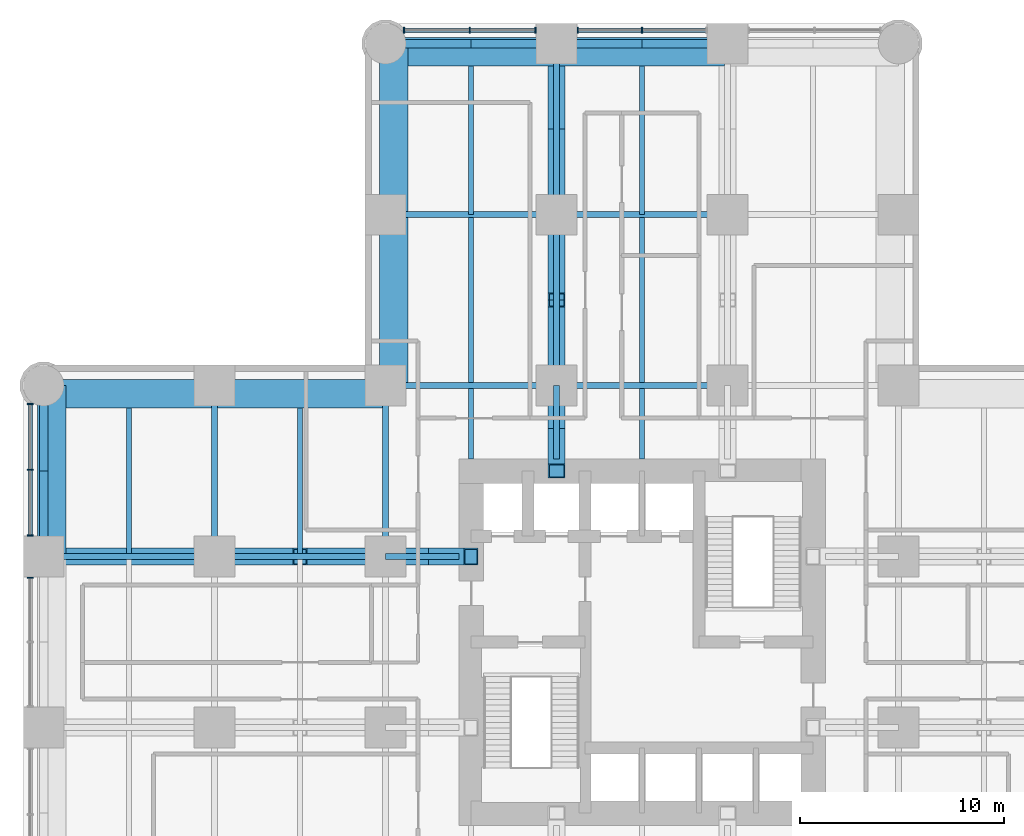
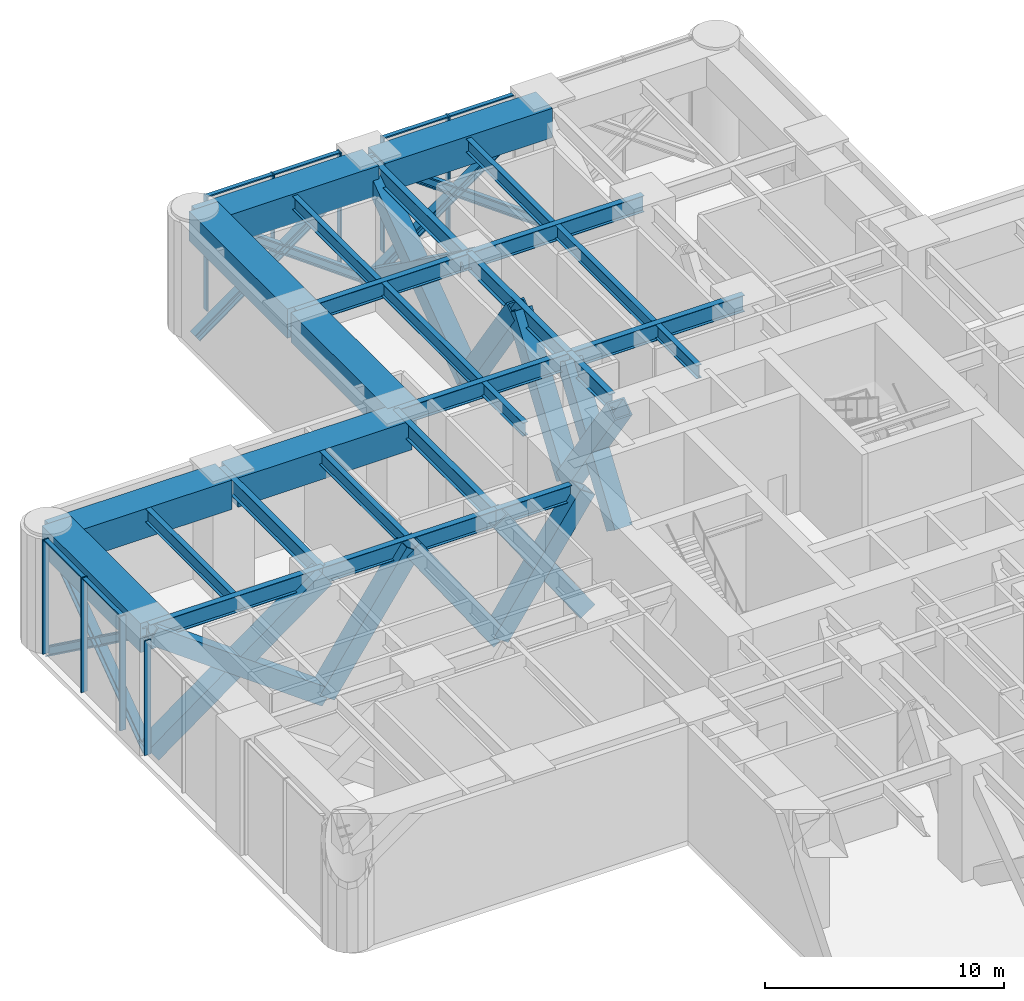
# One storey, part 5 of 12: 33 members, 27 beams, 2 elements without a shape of their own.
"""IFC4 building model written with IfcOpenShell, lengths in metres."""

import ifcopenshell
import ifcopenshell.guid

model = None  # the IFC model being written
_history = None  # IfcOwnerHistory: only IFC2X3 demands one
_inside = {}  # id of a spatial element -> (the spatial element, [elements in it])
_under = {}  # id of a project, library or spatial element -> (it, [spatial elements below it])
_declared = {}  # id of a project -> (the project, [libraries it declares])
_typed = {}  # id of a type object -> (the type object, [elements of that type])
_made_of = {}  # id of a material, layer set ... -> (it, [elements and type objects made of it])


def new_model(schema):
    """Start an empty IFC model of exactly this schema.

    Asked for "IFC4X3", IfcOpenShell would pick the latest addendum, in which some entities
    have other attributes; the version numbers below select the first issue.
    IFC2X3 requires an IfcOwnerHistory on every rooted entity: one is made here for all.
    """
    global model, _history
    if schema == "IFC4X3":
        model = ifcopenshell.file(schema_version=(4, 3, 0, 0))
    else:
        model = ifcopenshell.file(schema=schema)
    _inside.clear()
    _under.clear()
    _declared.clear()
    _typed.clear()
    _made_of.clear()
    _history = None
    if model.schema == "IFC2X3":
        org = make("IfcOrganization", Name="unknown")
        user = make(
            "IfcPersonAndOrganization",
            ThePerson=make("IfcPerson", FamilyName="unknown"),
            TheOrganization=org,
        )
        app = make(
            "IfcApplication",
            ApplicationDeveloper=org,
            Version="unknown",
            ApplicationFullName="unknown",
            ApplicationIdentifier="unknown",
        )
        _history = make(
            "IfcOwnerHistory",
            OwningUser=user,
            OwningApplication=app,
            ChangeAction="ADDED",
            CreationDate=0,
        )
    return model


def make(cls, **values):
    """One entity of the class cls with the attributes given. An attribute that is None is left unset."""
    return model.create_entity(
        cls, **{name: value for name, value in values.items() if value is not None}
    )


def rooted(cls, **values):
    """An entity with a GlobalId (a new one), such as an element, a storey or a relation."""
    return make(cls, GlobalId=ifcopenshell.guid.new(), OwnerHistory=_history, **values)


def si_unit(unit_type, name, prefix=None):
    """IfcSIUnit, for example si_unit("LENGTHUNIT", "METRE", prefix="MILLI")."""
    return make("IfcSIUnit", UnitType=unit_type, Prefix=prefix, Name=name)


def assignment(units):
    """IfcUnitAssignment: the units of a project."""
    return None if units is None else make("IfcUnitAssignment", Units=units)


def point(xyz):
    """IfcCartesianPoint."""
    return None if xyz is None else make("IfcCartesianPoint", Coordinates=xyz)


def direction(xyz):
    """IfcDirection."""
    return None if xyz is None else make("IfcDirection", DirectionRatios=xyz)


def frame(location, z_axis=None, x_axis=None):
    """IfcAxis2Placement3D, a coordinate frame: its origin and axes. An axis left out is left unset."""
    return make(
        "IfcAxis2Placement3D",
        Location=point(location),
        Axis=direction(z_axis),
        RefDirection=direction(x_axis),
    )


def frame_2d(location, x_axis=None):
    """IfcAxis2Placement2D, a coordinate frame in the plane: its origin and x axis."""
    return make(
        "IfcAxis2Placement2D", Location=point(location), RefDirection=direction(x_axis)
    )


def origin():
    """The frame at (0, 0, 0) with its axes left unset."""
    return frame((0.0, 0.0, 0.0))


def origin_2d():
    """The frame at (0, 0) in the plane with its x axis left unset."""
    return frame_2d((0.0, 0.0))


def place(relative_to, where):
    """IfcLocalPlacement: puts the frame where relative to a parent placement (None: the world)."""
    return make(
        "IfcLocalPlacement", PlacementRelTo=relative_to, RelativePlacement=where
    )


def context(
    kind, dimensions, precision=None, world=None, true_north=None, identifier=None
):
    """IfcGeometricRepresentationContext, for example the 3D "Model" context."""
    return make(
        "IfcGeometricRepresentationContext",
        ContextIdentifier=identifier,
        ContextType=kind,
        CoordinateSpaceDimension=dimensions,
        Precision=precision,
        WorldCoordinateSystem=world,
        TrueNorth=true_north,
    )


def subcontext(parent, identifier, kind, view, scale=None):
    """IfcGeometricRepresentationSubContext, for example "Body" below "Model"."""
    return make(
        "IfcGeometricRepresentationSubContext",
        ContextIdentifier=identifier,
        ContextType=kind,
        ParentContext=parent,
        TargetScale=scale,
        TargetView=view,
    )


def project(units=None, contexts=None):
    """IfcProject with its units and contexts."""
    return rooted(
        "IfcProject",
        Name="project",
        RepresentationContexts=contexts,
        UnitsInContext=assignment(units),
    )


def spatial(cls, under=None, at=None, **own):
    """A site, building, storey or space (cls), placed at a placement, below another one or the project."""
    s = rooted(cls, ObjectPlacement=at, **own)
    if under is not None:
        _under.setdefault(under.id(), (under, []))[1].append(s)
    return s


def profile(cls, at=None, kind="AREA", **sizes):
    """A parametric profile (cls). Its sizes go by their IFC names, for example OverallWidth=200.0."""
    return make(cls, ProfileType=kind, Position=at, **sizes)


def rectangle(**sizes):
    """IfcRectangleProfileDef."""
    return profile("IfcRectangleProfileDef", **sizes)


def hollow_rectangle(**sizes):
    """IfcRectangleHollowProfileDef."""
    return profile("IfcRectangleHollowProfileDef", **sizes)


def i_section(**sizes):
    """IfcIShapeProfileDef."""
    return profile("IfcIShapeProfileDef", **sizes)


def extrude(swept, where, along, depth):
    """IfcExtrudedAreaSolid: the profile swept, set in the frame where, extruded along a direction by depth."""
    return make(
        "IfcExtrudedAreaSolid",
        SweptArea=swept,
        Position=where,
        ExtrudedDirection=direction(along),
        Depth=depth,
    )


def shape(context_of_items, identifier, shape_type, items):
    """IfcShapeRepresentation: the items that make up one representation, for example the "Body"."""
    return make(
        "IfcShapeRepresentation",
        ContextOfItems=context_of_items,
        RepresentationIdentifier=identifier,
        RepresentationType=shape_type,
        Items=items,
    )


def material(Name=None, Category=None):
    """IfcMaterial."""
    return make("IfcMaterial", Name=Name, Category=Category)


def material_profile(
    of_material, cross_section, Name=None, Category=None, Priority=None
):
    """IfcMaterialProfile: a cross section and its material."""
    return make(
        "IfcMaterialProfile",
        Name=Name,
        Material=of_material,
        Profile=cross_section,
        Priority=Priority,
        Category=Category,
    )


def profile_set(profiles, Name=None, composite=None):
    """IfcMaterialProfileSet."""
    return make(
        "IfcMaterialProfileSet",
        Name=Name,
        MaterialProfiles=profiles,
        CompositeProfile=composite,
    )


def made_of(thing, what):
    """Note that an element or type object is made of a material, layer set ...; save() writes the relation."""
    if what is not None:
        _made_of.setdefault(what.id(), (what, []))[1].append(thing)
    return thing


def type_object(cls, material=None, **own):
    """A type object (cls), such as IfcWallType, which elements share."""
    return made_of(rooted(cls, **own), material)


def element(
    cls,
    number,
    at=None,
    inside=None,
    cuts=None,
    type_object=None,
    material=None,
    context=None,
    identifier="Body",
    shape_type=None,
    held_by="IfcProductDefinitionShape",
    body=None,
    shapes=None,
    **own,
):
    """One element of the class cls, such as IfcWall. Its Tag is "e" and its number.

    at: its placement. inside: the storey or other place that contains it. cuts: it is an
    opening in that element (IfcRelVoidsElement). A single representation is given by context,
    identifier, shape_type and body (its items); several are given by shapes. held_by: the class
    of the entity that holds the representations. save() writes the other relations.
    """
    e = rooted(cls, Tag="e%d" % number, ObjectPlacement=at, **own)
    if body is not None:
        shapes = [shape(context, identifier, shape_type, body)]
    if shapes is not None:
        e.Representation = make(held_by, Representations=shapes)
    if inside is not None:
        _inside.setdefault(inside.id(), (inside, []))[1].append(e)
    if cuts is not None:
        rooted(
            "IfcRelVoidsElement", RelatingBuildingElement=cuts, RelatedOpeningElement=e
        )
    if type_object is not None:
        _typed.setdefault(type_object.id(), (type_object, []))[1].append(e)
    return made_of(e, material)


def aggregate(whole, parts):
    """IfcRelAggregates: a whole, such as a stair, and the parts it consists of."""
    return rooted("IfcRelAggregates", RelatingObject=whole, RelatedObjects=parts)


def save(model, path):
    """Write the relations noted so far, then the file.

    IfcRelAggregates (storeys below a building ...), IfcRelContainedInSpatialStructure (elements
    in a storey), IfcRelDefinesByType, IfcRelAssociatesMaterial and IfcRelDeclares: one each for
    every whole, place, type object, material and project.
    """
    for whole, parts in _under.values():
        aggregate(whole, parts)
    for where, things in _inside.values():
        rooted(
            "IfcRelContainedInSpatialStructure",
            RelatedElements=things,
            RelatingStructure=where,
        )
    for kind, things in _typed.values():
        rooted("IfcRelDefinesByType", RelatedObjects=things, RelatingType=kind)
    for what, things in _made_of.values():
        rooted("IfcRelAssociatesMaterial", RelatedObjects=things, RelatingMaterial=what)
    for by, libraries in _declared.values():
        rooted("IfcRelDeclares", RelatingContext=by, RelatedDefinitions=libraries)
    model.write(path)


model = new_model("IFC4")

# Units and contexts
model_context = context("Model", 3, precision=1e-05, world=origin(), true_north=direction((0.0, 1.0)))
body_context = subcontext(model_context, "Body", "Model", "MODEL_VIEW")
ifc_project = project(units=[si_unit("LENGTHUNIT", "METRE"), si_unit("AREAUNIT", "SQUARE_METRE"), si_unit("VOLUMEUNIT", "CUBIC_METRE"), si_unit("PLANEANGLEUNIT", "RADIAN"), si_unit("MASSUNIT", "GRAM", prefix="KILO")], contexts=[model_context])

# Site, building, storey
site_placement = place(None, origin())
site = spatial("IfcSite", under=ifc_project, at=site_placement, CompositionType="ELEMENT")
building_placement = place(site_placement, origin())
building = spatial("IfcBuilding", under=site, at=building_placement, Name="Torre Alcanfor", CompositionType="ELEMENT")
storey_placement = place(building_placement, frame((0.0, 0.0, 102.89990234375)))
storey = spatial("IfcBuildingStorey", under=building, at=storey_placement, Name="L26", CompositionType="ELEMENT", Elevation=102.89990234375)

# Members
ifc_material_1 = material(Name="Steel ASTM A992 Grade 50", Category="steel")
ifc_material_profile_1 = material_profile(ifc_material_1, i_section(OverallWidth=0.411376953125, OverallDepth=0.434326171875, WebThickness=0.035888671875, FlangeThickness=0.057373046875, at=origin_2d()), Name="W14x311")
ifc_profile_set_1 = profile_set([ifc_material_profile_1], Name="Steel ASTM A992 Grade 50")
member_type_1 = type_object("IfcMemberType", Name="Belt truss diagonal W14x311", PredefinedType="BRACE", material=ifc_profile_set_1)
for number, where, z_axis, x_axis, name in (
    (1, (16.800048828125, 58.800048828125, -0.64990234375), (0.809144712888, 0.0, 0.587609422665), (0.0, 1.0, 0.0), "Belt truss L26 N arm panel 1 diagonal A"),
    (2, (25.199951171875, 58.800048828125, -0.64990234375), (-0.809144712888, 0.0, 0.587609422665), (0.0, -1.0, 0.0), "Belt truss L26 N arm panel 1 diagonal B"),
):
    element("IfcMember", number, at=place(storey_placement, frame(where, z_axis=z_axis, x_axis=x_axis)), inside=storey, type_object=member_type_1, Name=name, PredefinedType="BRACE", context=body_context, shape_type="SweptSolid", body=[
        extrude(i_section(OverallWidth=0.411376953125, OverallDepth=0.434326171875, WebThickness=0.035888671875, FlangeThickness=0.057373046875, at=origin_2d()), origin(), (0.0, 0.0, 1.0), 10.381103515625),
    ])
for number, where, z_axis, x_axis, name in (
    (3, (25.199951171875, 58.800048828125, -0.64990234375), (0.809152832909, 0.0, 0.587598241144), (0.0, 1.0, 0.0), "Belt truss L26 N arm panel 2 diagonal A"),
    (4, (33.60009765625, 58.800048828125, -0.64990234375), (-0.809152832909, 0.0, 0.587598241144), (0.0, -1.0, 0.0), "Belt truss L26 N arm panel 2 diagonal B"),
):
    element("IfcMember", number, at=place(storey_placement, frame(where, z_axis=z_axis, x_axis=x_axis)), inside=storey, type_object=member_type_1, Name=name, PredefinedType="BRACE", context=body_context, shape_type="SweptSolid", body=[
        extrude(i_section(OverallWidth=0.411376953125, OverallDepth=0.434326171875, WebThickness=0.035888671875, FlangeThickness=0.057373046875, at=origin_2d()), origin(), (0.0, 0.0, 1.0), 10.38134765625),
    ])
for number, where, z_axis, x_axis, name in (
    (5, (0.0, 33.60009765625, -0.64990234375), (0.0, 0.809144712888, 0.587609422665), (-1.0, 0.0, 0.0), "Belt truss L26 W arm panel 3 diagonal A"),
    (6, (0.0, 42.0, -0.64990234375), (0.0, -0.809144712888, 0.587609422665), (1.0, 0.0, 0.0), "Belt truss L26 W arm panel 3 diagonal B"),
):
    element("IfcMember", number, at=place(storey_placement, frame(where, z_axis=z_axis, x_axis=x_axis)), inside=storey, type_object=member_type_1, Name=name, PredefinedType="BRACE", context=body_context, shape_type="SweptSolid", body=[
        extrude(i_section(OverallWidth=0.411376953125, OverallDepth=0.434326171875, WebThickness=0.035888671875, FlangeThickness=0.057373046875, at=origin_2d()), origin(), (0.0, 0.0, 1.0), 10.381103515625),
    ])

# Curtain wall, members
ifc_material_2 = material(Name="Aluminium and glass", Category="aluminium")
curtain_wall_type = type_object("IfcCurtainWallType", Name="CW-D plant floor louvre screen", PredefinedType="NOTDEFINED", material=ifc_material_2)
curtain_wall_1_placement = place(storey_placement, origin())
curtain_wall_1 = element("IfcCurtainWall", 7, at=curtain_wall_1_placement, inside=storey, type_object=curtain_wall_type, Name="Curtain wall CW-D L26 2", PredefinedType="NOTDEFINED")
ifc_material_3 = material(Name="Extruded aluminium", Category="aluminium")
ifc_material_profile_2 = material_profile(ifc_material_3, rectangle(XDim=0.300048828125, YDim=0.06494140625, at=origin_2d()), Name="CW-D mullion 65x300")
ifc_profile_set_2 = profile_set([ifc_material_profile_2], Name="Extruded aluminium")
member_type_2 = type_object("IfcMemberType", Name="CW-D mullion 65x300", PredefinedType="MULLION", material=ifc_profile_set_2)
member_1_placement = place(storey_placement, frame((-0.64990234375, 41.095703125, 0.0), z_axis=(0.0, 0.0, 1.0), x_axis=(1.0, 0.0, 0.0)))
member_1 = element("IfcMember", 8, at=member_1_placement, type_object=member_type_2, Name="CW-D mullion 1.1", PredefinedType="MULLION", context=body_context, shape_type="SweptSolid", body=[
    extrude(rectangle(XDim=0.300048828125, YDim=0.06494140625, at=origin_2d()), origin(), (0.0, 0.0, 1.0), 5.85009765625),
])
member_2_placement = place(storey_placement, frame((-0.64990234375, 37.86669921875, 0.0), z_axis=(0.0, 0.0, 1.0), x_axis=(1.0, 0.0, 0.0)))
member_2 = element("IfcMember", 9, at=member_2_placement, type_object=member_type_2, Name="CW-D mullion 1.2", PredefinedType="MULLION", context=body_context, shape_type="SweptSolid", body=[
    extrude(rectangle(XDim=0.300048828125, YDim=0.06494140625, at=origin_2d()), origin(), (0.0, 0.0, 1.0), 5.85009765625),
])
member_3_placement = place(storey_placement, frame((-0.64990234375, 34.637451171875, 0.0), z_axis=(0.0, 0.0, 1.0), x_axis=(1.0, 0.0, 0.0)))
member_3 = element("IfcMember", 10, at=member_3_placement, type_object=member_type_2, Name="CW-D mullion 1.3", PredefinedType="MULLION", context=body_context, shape_type="SweptSolid", body=[
    extrude(rectangle(XDim=0.300048828125, YDim=0.06494140625, at=origin_2d()), origin(), (0.0, 0.0, 1.0), 5.85009765625),
])
member_4_placement = place(storey_placement, frame((-0.64990234375, 32.5625, 0.0), z_axis=(0.0, 0.0, 1.0), x_axis=(1.0, 0.0, 0.0)))
member_4 = element("IfcMember", 11, at=member_4_placement, type_object=member_type_2, Name="CW-D mullion 2.1", PredefinedType="MULLION", context=body_context, shape_type="SweptSolid", body=[
    extrude(rectangle(XDim=0.300048828125, YDim=0.06494140625, at=origin_2d()), origin(), (0.0, 0.0, 1.0), 5.85009765625),
])

curtain_wall_2_placement = place(storey_placement, origin())
curtain_wall_2 = element("IfcCurtainWall", 12, at=curtain_wall_2_placement, inside=storey, type_object=curtain_wall_type, Name="Curtain wall CW-D L26 11", PredefinedType="NOTDEFINED")
member_5_placement = place(storey_placement, frame((29.39990234375, 59.449951171875, 0.0), z_axis=(0.0, 0.0, 1.0), x_axis=(0.0, -1.0, 0.0)))
member_5 = element("IfcMember", 13, at=member_5_placement, type_object=member_type_2, Name="CW-D mullion 2.2", PredefinedType="MULLION", context=body_context, shape_type="SweptSolid", body=[
    extrude(rectangle(XDim=0.300048828125, YDim=0.06494140625, at=origin_2d()), origin(), (0.0, 0.0, 1.0), 5.85009765625),
])
member_6_placement = place(storey_placement, frame((26.237548828125, 59.449951171875, 0.0), z_axis=(0.0, 0.0, 1.0), x_axis=(0.0, -1.0, 0.0)))
member_6 = element("IfcMember", 14, at=member_6_placement, type_object=member_type_2, Name="CW-D mullion 2.3", PredefinedType="MULLION", context=body_context, shape_type="SweptSolid", body=[
    extrude(rectangle(XDim=0.300048828125, YDim=0.06494140625, at=origin_2d()), origin(), (0.0, 0.0, 1.0), 5.85009765625),
])
member_7_placement = place(storey_placement, frame((24.16259765625, 59.449951171875, 0.0), z_axis=(0.0, 0.0, 1.0), x_axis=(0.0, -1.0, 0.0)))
member_7 = element("IfcMember", 15, at=member_7_placement, type_object=member_type_2, Name="CW-D mullion 3.1", PredefinedType="MULLION", context=body_context, shape_type="SweptSolid", body=[
    extrude(rectangle(XDim=0.300048828125, YDim=0.06494140625, at=origin_2d()), origin(), (0.0, 0.0, 1.0), 5.85009765625),
])
member_8_placement = place(storey_placement, frame((20.933349609375, 59.449951171875, 0.0), z_axis=(0.0, 0.0, 1.0), x_axis=(0.0, -1.0, 0.0)))
member_8 = element("IfcMember", 16, at=member_8_placement, type_object=member_type_2, Name="CW-D mullion 3.2", PredefinedType="MULLION", context=body_context, shape_type="SweptSolid", body=[
    extrude(rectangle(XDim=0.300048828125, YDim=0.06494140625, at=origin_2d()), origin(), (0.0, 0.0, 1.0), 5.85009765625),
])
member_9_placement = place(storey_placement, frame((17.7041015625, 59.449951171875, 0.0), z_axis=(0.0, 0.0, 1.0), x_axis=(0.0, -1.0, 0.0)))
member_9 = element("IfcMember", 17, at=member_9_placement, type_object=member_type_2, Name="CW-D mullion 3.3", PredefinedType="MULLION", context=body_context, shape_type="SweptSolid", body=[
    extrude(rectangle(XDim=0.300048828125, YDim=0.06494140625, at=origin_2d()), origin(), (0.0, 0.0, 1.0), 5.85009765625),
])

# Member
ifc_material_4 = material(Name="Extruded aluminium", Category="aluminium")
ifc_material_profile_3 = material_profile(ifc_material_4, rectangle(XDim=0.199951171875, YDim=0.06494140625, at=origin_2d()), Name="CW-D transom 200x65")
ifc_profile_set_3 = profile_set([ifc_material_profile_3], Name="Extruded aluminium")
member_type_3 = type_object("IfcMemberType", Name="CW-D transom 65x200", PredefinedType="USERDEFINED", material=ifc_profile_set_3)
member_10_placement = place(storey_placement, frame((-0.64990234375, 41.063232421875, 5.817626953125), z_axis=(0.0, -1.0, 0.0), x_axis=(1.0, 0.0, 0.0)))
member_10 = element("IfcMember", 18, at=member_10_placement, type_object=member_type_3, Name="CW-D transom 1.1.2", ObjectType="TRANSOM", PredefinedType="USERDEFINED", context=body_context, shape_type="SweptSolid", body=[
    extrude(rectangle(XDim=0.199951171875, YDim=0.06494140625, at=origin_2d()), origin(), (0.0, 0.0, 1.0), 3.1640625),
])

member_11_placement = place(storey_placement, frame((-0.64990234375, 37.834228515625, 5.817626953125), z_axis=(0.0, -1.0, 0.0), x_axis=(1.0, 0.0, 0.0)))
member_11 = element("IfcMember", 19, at=member_11_placement, type_object=member_type_3, Name="CW-D transom 1.2.2", ObjectType="TRANSOM", PredefinedType="USERDEFINED", context=body_context, shape_type="SweptSolid", body=[
    extrude(rectangle(XDim=0.199951171875, YDim=0.06494140625, at=origin_2d()), origin(), (0.0, 0.0, 1.0), 3.164306640625),
])

aggregate(curtain_wall_1, [member_1, member_2, member_3, member_10, member_11, member_4])

member_12_placement = place(storey_placement, frame((32.530029296875, 59.449951171875, 5.817626953125), z_axis=(-1.0, 0.0, 0.0), x_axis=(0.0, -1.0, 0.0)))
member_12 = element("IfcMember", 20, at=member_12_placement, type_object=member_type_3, Name="CW-D transom 2.1.2", ObjectType="TRANSOM", PredefinedType="USERDEFINED", context=body_context, shape_type="SweptSolid", body=[
    extrude(rectangle(XDim=0.199951171875, YDim=0.06494140625, at=origin_2d()), origin(), (0.0, 0.0, 1.0), 3.097412109375),
])

member_13_placement = place(storey_placement, frame((29.367431640625, 59.449951171875, 5.817626953125), z_axis=(-1.0, 0.0, 0.0), x_axis=(0.0, -1.0, 0.0)))
member_13 = element("IfcMember", 21, at=member_13_placement, type_object=member_type_3, Name="CW-D transom 2.2.2", ObjectType="TRANSOM", PredefinedType="USERDEFINED", context=body_context, shape_type="SweptSolid", body=[
    extrude(rectangle(XDim=0.199951171875, YDim=0.06494140625, at=origin_2d()), origin(), (0.0, 0.0, 1.0), 3.097412109375),
])

member_14_placement = place(storey_placement, frame((24.1298828125, 59.449951171875, 5.817626953125), z_axis=(-1.0, 0.0, 0.0), x_axis=(0.0, -1.0, 0.0)))
member_14 = element("IfcMember", 22, at=member_14_placement, type_object=member_type_3, Name="CW-D transom 3.1.2", ObjectType="TRANSOM", PredefinedType="USERDEFINED", context=body_context, shape_type="SweptSolid", body=[
    extrude(rectangle(XDim=0.199951171875, YDim=0.06494140625, at=origin_2d()), origin(), (0.0, 0.0, 1.0), 3.1640625),
])

member_15_placement = place(storey_placement, frame((20.90087890625, 59.449951171875, 5.817626953125), z_axis=(-1.0, 0.0, 0.0), x_axis=(0.0, -1.0, 0.0)))
member_15 = element("IfcMember", 23, at=member_15_placement, type_object=member_type_3, Name="CW-D transom 3.2.2", ObjectType="TRANSOM", PredefinedType="USERDEFINED", context=body_context, shape_type="SweptSolid", body=[
    extrude(rectangle(XDim=0.199951171875, YDim=0.06494140625, at=origin_2d()), origin(), (0.0, 0.0, 1.0), 3.1640625),
])

aggregate(curtain_wall_2, [member_5, member_6, member_12, member_13, member_7, member_8, member_9, member_14, member_15])

# Beams
ifc_material_5 = material(Name="Steel ASTM A992 Grade 50", Category="steel")
ifc_material_profile_4 = material_profile(ifc_material_5, i_section(OverallWidth=0.2919921875, OverallDepth=0.8408203125, WebThickness=0.0146484375, FlangeThickness=0.021728515625, at=origin_2d()), Name="W33x130")
ifc_profile_set_4 = profile_set([ifc_material_profile_4], Name="Steel ASTM A992 Grade 50")
beam_type_1 = type_object("IfcBeamType", Name="Girder W33x130", PredefinedType="BEAM", material=ifc_profile_set_4)
beam_1_placement = place(storey_placement, frame((0.0, 33.60009765625, 5.4296875), z_axis=(1.0, 0.0, 0.0), x_axis=(0.0, 1.0, 0.0)))
element("IfcBeam", 24, at=beam_1_placement, inside=storey, type_object=beam_type_1, Name="Beam 1G-2G under L27", PredefinedType="BEAM", context=body_context, shape_type="SweptSolid", body=[
    extrude(i_section(OverallWidth=0.2919921875, OverallDepth=0.8408203125, WebThickness=0.0146484375, FlangeThickness=0.021728515625, at=origin_2d()), origin(), (0.0, 0.0, 1.0), 8.39990234375),
])
beam_2_placement = place(storey_placement, frame((8.39990234375, 33.60009765625, 5.4296875), z_axis=(1.0, 0.0, 0.0), x_axis=(0.0, 1.0, 0.0)))
element("IfcBeam", 25, at=beam_2_placement, inside=storey, type_object=beam_type_1, Name="Beam 2G-3G under L27", PredefinedType="BEAM", context=body_context, shape_type="SweptSolid", body=[
    extrude(i_section(OverallWidth=0.2919921875, OverallDepth=0.8408203125, WebThickness=0.0146484375, FlangeThickness=0.021728515625, at=origin_2d()), origin(), (0.0, 0.0, 1.0), 8.400146484375),
])
beam_3_placement = place(storey_placement, frame((16.800048828125, 42.0, 5.4296875), z_axis=(1.0, 0.0, 0.0), x_axis=(0.0, 1.0, 0.0)))
element("IfcBeam", 26, at=beam_3_placement, inside=storey, type_object=beam_type_1, Name="Beam 3H-4H under L27", PredefinedType="BEAM", context=body_context, shape_type="SweptSolid", body=[
    extrude(i_section(OverallWidth=0.2919921875, OverallDepth=0.8408203125, WebThickness=0.0146484375, FlangeThickness=0.021728515625, at=origin_2d()), origin(), (0.0, 0.0, 1.0), 8.39990234375),
])
beam_4_placement = place(storey_placement, frame((25.199951171875, 42.0, 5.4296875), z_axis=(1.0, 0.0, 0.0), x_axis=(0.0, 1.0, 0.0)))
element("IfcBeam", 27, at=beam_4_placement, inside=storey, type_object=beam_type_1, Name="Beam 4H-5H under L27", PredefinedType="BEAM", context=body_context, shape_type="SweptSolid", body=[
    extrude(i_section(OverallWidth=0.2919921875, OverallDepth=0.8408203125, WebThickness=0.0146484375, FlangeThickness=0.021728515625, at=origin_2d()), origin(), (0.0, 0.0, 1.0), 8.400146484375),
])
beam_5_placement = place(storey_placement, frame((16.800048828125, 50.39990234375, 5.4296875), z_axis=(1.0, 0.0, 0.0), x_axis=(0.0, 1.0, 0.0)))
element("IfcBeam", 28, at=beam_5_placement, inside=storey, type_object=beam_type_1, Name="Beam 3J-4J under L27", PredefinedType="BEAM", context=body_context, shape_type="SweptSolid", body=[
    extrude(i_section(OverallWidth=0.2919921875, OverallDepth=0.8408203125, WebThickness=0.0146484375, FlangeThickness=0.021728515625, at=origin_2d()), origin(), (0.0, 0.0, 1.0), 8.39990234375),
])
beam_6_placement = place(storey_placement, frame((25.199951171875, 50.39990234375, 5.4296875), z_axis=(1.0, 0.0, 0.0), x_axis=(0.0, 1.0, 0.0)))
element("IfcBeam", 29, at=beam_6_placement, inside=storey, type_object=beam_type_1, Name="Beam 4J-5J under L27", PredefinedType="BEAM", context=body_context, shape_type="SweptSolid", body=[
    extrude(i_section(OverallWidth=0.2919921875, OverallDepth=0.8408203125, WebThickness=0.0146484375, FlangeThickness=0.021728515625, at=origin_2d()), origin(), (0.0, 0.0, 1.0), 8.400146484375),
])
for number, where, z_axis, x_axis, name in (
    (30, (8.39990234375, 33.60009765625, 5.4296875), (0.0, 1.0, 0.0), (-1.0, 0.0, 0.0), "Beam 2G-2H under L27"),
    (31, (16.800048828125, 33.60009765625, 5.4296875), (0.0, 1.0, 0.0), (-1.0, 0.0, 0.0), "Beam 3G-3H under L27"),
    (32, (25.199951171875, 42.0, 5.4296875), (0.0, 1.0, 0.0), (-1.0, 0.0, 0.0), "Beam 4H-4J under L27"),
):
    element("IfcBeam", number, at=place(storey_placement, frame(where, z_axis=z_axis, x_axis=x_axis)), inside=storey, type_object=beam_type_1, Name=name, PredefinedType="BEAM", context=body_context, shape_type="SweptSolid", body=[
        extrude(i_section(OverallWidth=0.2919921875, OverallDepth=0.8408203125, WebThickness=0.0146484375, FlangeThickness=0.021728515625, at=origin_2d()), origin(), (0.0, 0.0, 1.0), 8.39990234375),
    ])
beam_7_placement = place(storey_placement, frame((25.199951171875, 50.39990234375, 5.329833984375), z_axis=(0.0, 1.0, 0.0), x_axis=(-1.0, 0.0, 0.0)))
element("IfcBeam", 33, at=beam_7_placement, inside=storey, type_object=beam_type_1, Name="Beam 4J-4K under L27", PredefinedType="BEAM", context=body_context, shape_type="SweptSolid", body=[
    extrude(i_section(OverallWidth=0.2919921875, OverallDepth=0.8408203125, WebThickness=0.0146484375, FlangeThickness=0.021728515625, at=origin_2d()), origin(), (0.0, 0.0, 1.0), 8.400146484375),
])
ifc_material_6 = material(Name="Steel ASTM A992 Grade 50", Category="steel")
ifc_material_profile_5 = material_profile(ifc_material_6, i_section(OverallWidth=0.2919921875, OverallDepth=0.8408203125, WebThickness=0.0146484375, FlangeThickness=0.021728515625, at=origin_2d()), Name="W33x130")
ifc_profile_set_5 = profile_set([ifc_material_profile_5], Name="Steel ASTM A992 Grade 50")
beam_type_2 = type_object("IfcBeamType", Name="Girder, part bay W33x130", PredefinedType="BEAM", material=ifc_profile_set_5)
beam_8_placement = place(storey_placement, frame((25.199951171875, 42.0, 5.4296875), z_axis=(0.0, -1.0, 0.0), x_axis=(1.0, 0.0, 0.0)))
element("IfcBeam", 34, at=beam_8_placement, inside=storey, type_object=beam_type_2, Name="Beam 4H-438_4 under L27", PredefinedType="BEAM", context=body_context, shape_type="SweptSolid", body=[
    extrude(i_section(OverallWidth=0.2919921875, OverallDepth=0.8408203125, WebThickness=0.0146484375, FlangeThickness=0.021728515625, at=origin_2d()), origin(), (0.0, 0.0, 1.0), 3.60009765625),
])
beam_9_placement = place(storey_placement, frame((16.800048828125, 33.60009765625, 5.4296875), z_axis=(1.0, 0.0, 0.0), x_axis=(0.0, 1.0, 0.0)))
element("IfcBeam", 35, at=beam_9_placement, inside=storey, type_object=beam_type_2, Name="Beam 3G-20_4G under L27", PredefinedType="BEAM", context=body_context, shape_type="SweptSolid", body=[
    extrude(i_section(OverallWidth=0.2919921875, OverallDepth=0.8408203125, WebThickness=0.0146484375, FlangeThickness=0.021728515625, at=origin_2d()), origin(), (0.0, 0.0, 1.0), 3.599853515625),
])

# Members
ifc_material_7 = material(Name="Steel ASTM A572 Grade 50 plate", Category="steel")
ifc_material_profile_6 = material_profile(ifc_material_7, hollow_rectangle(XDim=0.85009765625, YDim=0.85009765625, WallThickness=0.070068359375, at=origin_2d()), Name="BOX 850x850x70")
ifc_profile_set_6 = profile_set([ifc_material_profile_6], Name="Steel ASTM A572 Grade 50 plate")
member_type_4 = type_object("IfcMemberType", Name="Outrigger truss diagonal BOx850x850x70", PredefinedType="BRACE", material=ifc_profile_set_6)
for number, where, z_axis, x_axis, name in (
    (36, (25.199951171875, 37.800048828125, -0.64990234375), (0.0, 0.567091101321, 0.823655075139), (-1.0, 0.0, 0.0), "Outrigger truss L26 N arm grid 25.2 panel 1 diagonal A"),
    (37, (25.199951171875, 42.0, -0.64990234375), (0.0, -0.567091101321, 0.823655075139), (1.0, 0.0, 0.0), "Outrigger truss L26 N arm grid 25.2 panel 1 diagonal B"),
    (38, (25.199951171875, 42.0, -0.64990234375), (0.0, 0.567091101321, 0.823655075139), (-1.0, 0.0, 0.0), "Outrigger truss L26 N arm grid 25.2 panel 2 diagonal A"),
    (39, (25.199951171875, 50.39990234375, -0.64990234375), (0.0, -0.567091101321, 0.823655075139), (1.0, 0.0, 0.0), "Outrigger truss L26 N arm grid 25.2 panel 2 diagonal B"),
):
    element("IfcMember", number, at=place(storey_placement, frame(where, z_axis=z_axis, x_axis=x_axis)), inside=storey, type_object=member_type_4, Name=name, PredefinedType="BRACE", context=body_context, shape_type="SweptSolid", body=[
        extrude(hollow_rectangle(XDim=0.85009765625, YDim=0.85009765625, WallThickness=0.070068359375, at=origin_2d()), origin(), (0.0, 0.0, 1.0), 7.40625),
    ])
for number, where, z_axis, x_axis, name in (
    (40, (25.199951171875, 50.39990234375, -0.64990234375), (0.0, 0.809152832909, 0.587598241144), (-1.0, 0.0, 0.0), "Outrigger truss L26 N arm grid 25.2 panel 3 diagonal A"),
    (41, (25.199951171875, 58.800048828125, -0.64990234375), (0.0, -0.809152832909, 0.587598241144), (1.0, 0.0, 0.0), "Outrigger truss L26 N arm grid 25.2 panel 3 diagonal B"),
):
    element("IfcMember", number, at=place(storey_placement, frame(where, z_axis=z_axis, x_axis=x_axis)), inside=storey, type_object=member_type_4, Name=name, PredefinedType="BRACE", context=body_context, shape_type="SweptSolid", body=[
        extrude(hollow_rectangle(XDim=0.85009765625, YDim=0.85009765625, WallThickness=0.070068359375, at=origin_2d()), origin(), (0.0, 0.0, 1.0), 10.38134765625),
    ])
for number, where, z_axis, x_axis, name in (
    (42, (21.0, 33.60009765625, -0.64990234375), (-0.567091101321, 0.0, 0.823655075139), (0.0, -1.0, 0.0), "Outrigger truss L26 W arm grid 33.6 panel 1 diagonal A"),
    (43, (16.800048828125, 33.60009765625, -0.64990234375), (0.567091101321, 0.0, 0.823655075139), (0.0, 1.0, 0.0), "Outrigger truss L26 W arm grid 33.6 panel 1 diagonal B"),
    (44, (16.800048828125, 33.60009765625, -0.64990234375), (-0.567091101321, 0.0, 0.823655075139), (0.0, -1.0, 0.0), "Outrigger truss L26 W arm grid 33.6 panel 2 diagonal A"),
    (45, (8.39990234375, 33.60009765625, -0.64990234375), (0.567113464175, 0.0, 0.823639677742), (0.0, 1.0, 0.0), "Outrigger truss L26 W arm grid 33.6 panel 2 diagonal B"),
):
    element("IfcMember", number, at=place(storey_placement, frame(where, z_axis=z_axis, x_axis=x_axis)), inside=storey, type_object=member_type_4, Name=name, PredefinedType="BRACE", context=body_context, shape_type="SweptSolid", body=[
        extrude(hollow_rectangle(XDim=0.85009765625, YDim=0.85009765625, WallThickness=0.070068359375, at=origin_2d()), origin(), (0.0, 0.0, 1.0), 7.40625),
    ])
for number, where, z_axis, x_axis, name in (
    (46, (8.39990234375, 33.60009765625, -0.64990234375), (-0.809144712888, 0.0, 0.587609422665), (0.0, -1.0, 0.0), "Outrigger truss L26 W arm grid 33.6 panel 3 diagonal A"),
    (47, (0.0, 33.60009765625, -0.64990234375), (0.809144712888, 0.0, 0.587609422665), (0.0, 1.0, 0.0), "Outrigger truss L26 W arm grid 33.6 panel 3 diagonal B"),
):
    element("IfcMember", number, at=place(storey_placement, frame(where, z_axis=z_axis, x_axis=x_axis)), inside=storey, type_object=member_type_4, Name=name, PredefinedType="BRACE", context=body_context, shape_type="SweptSolid", body=[
        extrude(hollow_rectangle(XDim=0.85009765625, YDim=0.85009765625, WallThickness=0.070068359375, at=origin_2d()), origin(), (0.0, 0.0, 1.0), 10.381103515625),
    ])

# Beams
ifc_material_8 = material(Name="Concrete f'c 70 MPa", Category="concrete")
ifc_material_profile_7 = material_profile(ifc_material_8, rectangle(XDim=1.39990234375, YDim=1.5, at=origin_2d()), Name="1400x1500")
ifc_profile_set_7 = profile_set([ifc_material_profile_7], Name="Concrete f'c 70 MPa")
beam_type_3 = type_object("IfcBeamType", Name="RC perimeter beam 1400x1500", PredefinedType="BEAM", material=ifc_profile_set_7)
beam_10_placement = place(storey_placement, frame((0.0, 41.60009765625, 5.10009765625), z_axis=(1.0, 0.0, 0.0), x_axis=(0.0, 1.0, 0.0)))
element("IfcBeam", 48, at=beam_10_placement, inside=storey, type_object=beam_type_3, Name="Beam 1H-2H under L27", PredefinedType="BEAM", context=body_context, shape_type="SweptSolid", body=[
    extrude(rectangle(XDim=1.39990234375, YDim=1.5, at=origin_2d()), origin(), (0.0, 0.0, 1.0), 8.25390625),
])
beam_11_placement = place(storey_placement, frame((8.5458984375, 41.60009765625, 5.10009765625), z_axis=(1.0, 0.0, 0.0), x_axis=(0.0, 1.0, 0.0)))
element("IfcBeam", 49, at=beam_11_placement, inside=storey, type_object=beam_type_3, Name="Beam 2H-3H under L27", PredefinedType="BEAM", context=body_context, shape_type="SweptSolid", body=[
    extrude(rectangle(XDim=1.39990234375, YDim=1.5, at=origin_2d()), origin(), (0.0, 0.0, 1.0), 8.400146484375),
])
beam_12_placement = place(storey_placement, frame((16.800048828125, 58.39990234375, 5.10009765625), z_axis=(1.0, 0.0, 0.0), x_axis=(0.0, 1.0, 0.0)))
element("IfcBeam", 50, at=beam_12_placement, inside=storey, type_object=beam_type_3, Name="Beam 3K-4K under L27", PredefinedType="BEAM", context=body_context, shape_type="SweptSolid", body=[
    extrude(rectangle(XDim=1.39990234375, YDim=1.5, at=origin_2d()), origin(), (0.0, 0.0, 1.0), 8.25390625),
])
beam_13_placement = place(storey_placement, frame((25.345947265625, 58.39990234375, 5.10009765625), z_axis=(1.0, 0.0, 0.0), x_axis=(0.0, 1.0, 0.0)))
element("IfcBeam", 51, at=beam_13_placement, inside=storey, type_object=beam_type_3, Name="Beam 4K-5K under L27", PredefinedType="BEAM", context=body_context, shape_type="SweptSolid", body=[
    extrude(rectangle(XDim=1.39990234375, YDim=1.5, at=origin_2d()), origin(), (0.0, 0.0, 1.0), 8.108154296875),
])
beam_14_placement = place(storey_placement, frame((0.39990234375, 33.74609375, 5.10009765625), z_axis=(0.0, 1.0, 0.0), x_axis=(-1.0, 0.0, 0.0)))
element("IfcBeam", 52, at=beam_14_placement, inside=storey, type_object=beam_type_3, Name="Beam 1G-1H under L27", PredefinedType="BEAM", context=body_context, shape_type="SweptSolid", body=[
    extrude(rectangle(XDim=1.39990234375, YDim=1.5, at=origin_2d()), origin(), (0.0, 0.0, 1.0), 8.25390625),
])
beam_15_placement = place(storey_placement, frame((17.199951171875, 42.14599609375, 5.10009765625), z_axis=(0.0, 1.0, 0.0), x_axis=(-1.0, 0.0, 0.0)))
element("IfcBeam", 53, at=beam_15_placement, inside=storey, type_object=beam_type_3, Name="Beam 3H-3J under L27", PredefinedType="BEAM", context=body_context, shape_type="SweptSolid", body=[
    extrude(rectangle(XDim=1.39990234375, YDim=1.5, at=origin_2d()), origin(), (0.0, 0.0, 1.0), 8.10791015625),
])
beam_16_placement = place(storey_placement, frame((17.199951171875, 50.5458984375, 5.10009765625), z_axis=(0.0, 1.0, 0.0), x_axis=(-1.0, 0.0, 0.0)))
element("IfcBeam", 54, at=beam_16_placement, inside=storey, type_object=beam_type_3, Name="Beam 3J-3K under L27", PredefinedType="BEAM", context=body_context, shape_type="SweptSolid", body=[
    extrude(rectangle(XDim=1.39990234375, YDim=1.5, at=origin_2d()), origin(), (0.0, 0.0, 1.0), 8.254150390625),
])
ifc_material_9 = material(Name="Steel ASTM A992 Grade 50", Category="steel")
ifc_material_profile_8 = material_profile(ifc_material_9, i_section(OverallWidth=0.25390625, OverallDepth=0.683349609375, WebThickness=0.012451171875, FlangeThickness=0.01904296875, at=origin_2d()), Name="W27x94")
ifc_profile_set_8 = profile_set([ifc_material_profile_8], Name="Steel ASTM A992 Grade 50")
beam_type_4 = type_object("IfcBeamType", Name="Secondary beam W27x94", PredefinedType="BEAM", material=ifc_profile_set_8)
for number, where, z_axis, x_axis, name in (
    (55, (4.199951171875, 33.74609375, 5.508544921875), (0.0, 1.0, 0.0), (-1.0, 0.0, 0.0), "Beam 4_2G-4_2H under L27"),
    (56, (12.60009765625, 33.74609375, 5.508544921875), (0.0, 1.0, 0.0), (-1.0, 0.0, 0.0), "Beam 12_6G-12_6H under L27"),
):
    element("IfcBeam", number, at=place(storey_placement, frame(where, z_axis=z_axis, x_axis=x_axis)), inside=storey, type_object=beam_type_4, Name=name, PredefinedType="BEAM", context=body_context, shape_type="SweptSolid", body=[
        extrude(i_section(OverallWidth=0.25390625, OverallDepth=0.683349609375, WebThickness=0.012451171875, FlangeThickness=0.01904296875, at=origin_2d()), origin(), (0.0, 0.0, 1.0), 7.15380859375),
    ])
beam_17_placement = place(storey_placement, frame((21.0, 42.14599609375, 5.508544921875), z_axis=(0.0, 1.0, 0.0), x_axis=(-1.0, 0.0, 0.0)))
element("IfcBeam", 57, at=beam_17_placement, inside=storey, type_object=beam_type_4, Name="Beam 21H-21J under L27", PredefinedType="BEAM", context=body_context, shape_type="SweptSolid", body=[
    extrude(i_section(OverallWidth=0.25390625, OverallDepth=0.683349609375, WebThickness=0.012451171875, FlangeThickness=0.01904296875, at=origin_2d()), origin(), (0.0, 0.0, 1.0), 8.10791015625),
])
beam_18_placement = place(storey_placement, frame((21.0, 50.406982421875, 5.408447265625), z_axis=(0.0, 1.0, 0.0), x_axis=(-1.0, 0.0, 0.0)))
element("IfcBeam", 58, at=beam_18_placement, inside=storey, type_object=beam_type_4, Name="Beam 21J-21K under L27", PredefinedType="BEAM", context=body_context, shape_type="SweptSolid", body=[
    extrude(i_section(OverallWidth=0.25390625, OverallDepth=0.683349609375, WebThickness=0.012451171875, FlangeThickness=0.01904296875, at=origin_2d()), origin(), (0.0, 0.0, 1.0), 7.29296875),
])
beam_19_placement = place(storey_placement, frame((29.39990234375, 42.14599609375, 5.508544921875), z_axis=(0.0, 1.0, 0.0), x_axis=(-1.0, 0.0, 0.0)))
element("IfcBeam", 59, at=beam_19_placement, inside=storey, type_object=beam_type_4, Name="Beam 29_4H-29_4J under L27", PredefinedType="BEAM", context=body_context, shape_type="SweptSolid", body=[
    extrude(i_section(OverallWidth=0.25390625, OverallDepth=0.683349609375, WebThickness=0.012451171875, FlangeThickness=0.01904296875, at=origin_2d()), origin(), (0.0, 0.0, 1.0), 8.10791015625),
])
beam_20_placement = place(storey_placement, frame((29.39990234375, 50.406982421875, 5.408447265625), z_axis=(0.0, 1.0, 0.0), x_axis=(-1.0, 0.0, 0.0)))
element("IfcBeam", 60, at=beam_20_placement, inside=storey, type_object=beam_type_4, Name="Beam 29_4J-29_4K under L27", PredefinedType="BEAM", context=body_context, shape_type="SweptSolid", body=[
    extrude(i_section(OverallWidth=0.25390625, OverallDepth=0.683349609375, WebThickness=0.012451171875, FlangeThickness=0.01904296875, at=origin_2d()), origin(), (0.0, 0.0, 1.0), 7.29296875),
])
ifc_material_10 = material(Name="Steel ASTM A992 Grade 50", Category="steel")
ifc_material_profile_9 = material_profile(ifc_material_10, i_section(OverallWidth=0.25390625, OverallDepth=0.683349609375, WebThickness=0.012451171875, FlangeThickness=0.01904296875, at=origin_2d()), Name="W27x94")
ifc_profile_set_9 = profile_set([ifc_material_profile_9], Name="Steel ASTM A992 Grade 50")
beam_type_5 = type_object("IfcBeamType", Name="Secondary beam, part bay W27x94", PredefinedType="BEAM", material=ifc_profile_set_9)
for number, where, z_axis, x_axis, name in (
    (61, (21.0, 38.39990234375, 5.508544921875), (0.0, 1.0, 0.0), (-1.0, 0.0, 0.0), "Beam 2138_4-21H under L27"),
    (62, (29.39990234375, 38.39990234375, 5.508544921875), (0.0, 1.0, 0.0), (-1.0, 0.0, 0.0), "Beam 29_438_4-29_4H under L27"),
):
    element("IfcBeam", number, at=place(storey_placement, frame(where, z_axis=z_axis, x_axis=x_axis)), inside=storey, type_object=beam_type_5, Name=name, PredefinedType="BEAM", context=body_context, shape_type="SweptSolid", body=[
        extrude(i_section(OverallWidth=0.25390625, OverallDepth=0.683349609375, WebThickness=0.012451171875, FlangeThickness=0.01904296875, at=origin_2d()), origin(), (0.0, 0.0, 1.0), 3.4541015625),
    ])

save(model, "model.ifc")
